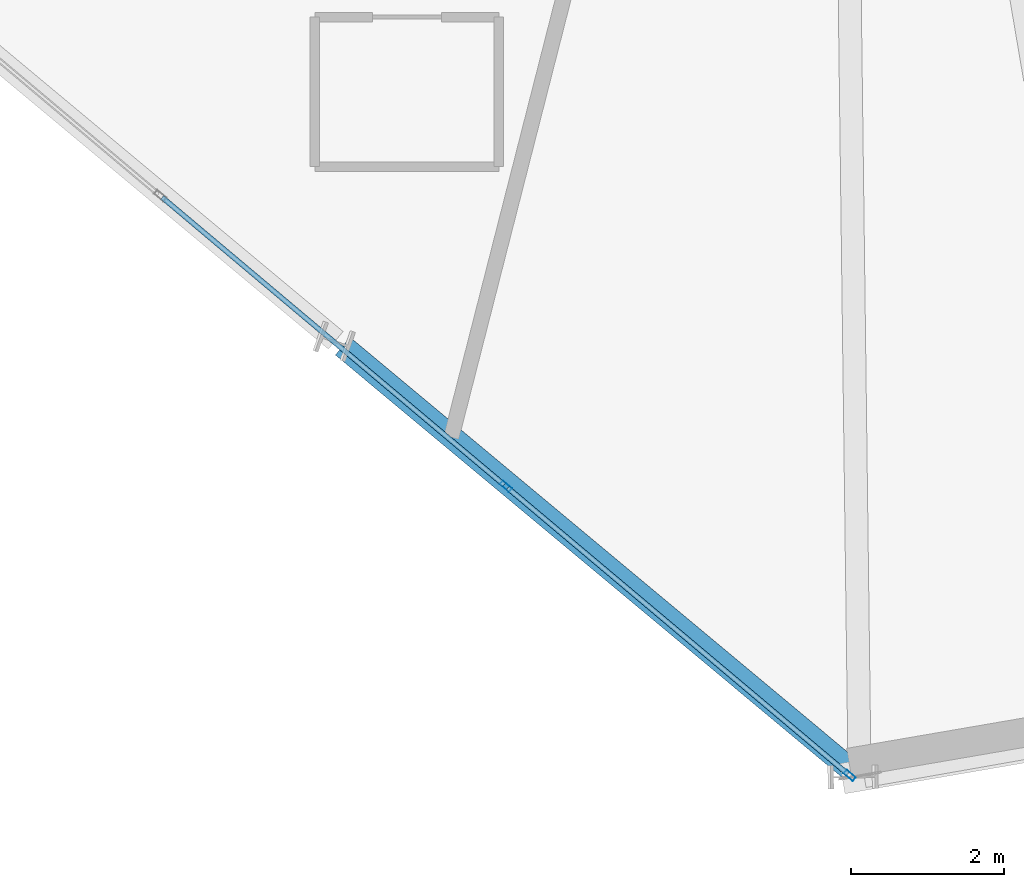
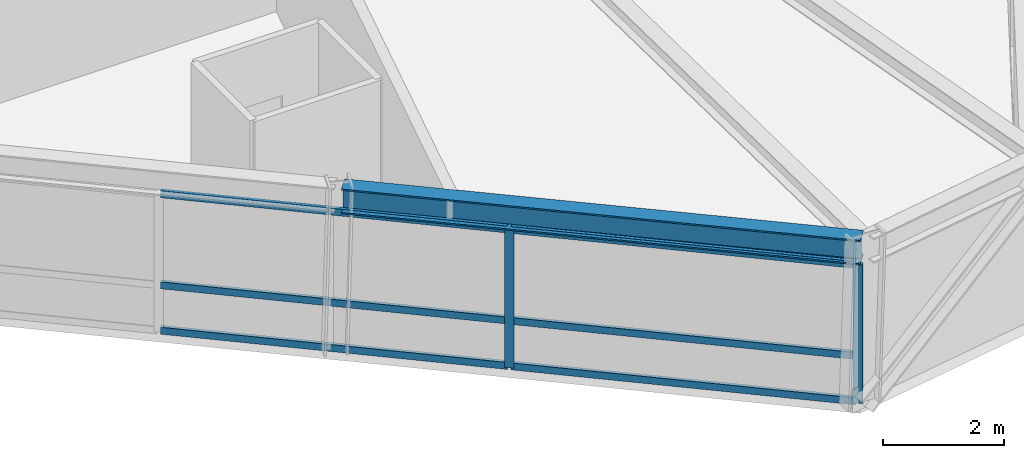
# One storey, part 3 of 14: 8 members, 1 beam, 1 element without a shape of its own.
"""IFC4 building model written with IfcOpenShell, lengths in metres."""

import ifcopenshell
import ifcopenshell.guid

model = None  # the IFC model being written
_history = None  # IfcOwnerHistory: only IFC2X3 demands one
_inside = {}  # id of a spatial element -> (the spatial element, [elements in it])
_under = {}  # id of a project, library or spatial element -> (it, [spatial elements below it])
_declared = {}  # id of a project -> (the project, [libraries it declares])
_typed = {}  # id of a type object -> (the type object, [elements of that type])
_made_of = {}  # id of a material, layer set ... -> (it, [elements and type objects made of it])


def new_model(schema):
    """Start an empty IFC model of exactly this schema.

    Asked for "IFC4X3", IfcOpenShell would pick the latest addendum, in which some entities
    have other attributes; the version numbers below select the first issue.
    IFC2X3 requires an IfcOwnerHistory on every rooted entity: one is made here for all.
    """
    global model, _history
    if schema == "IFC4X3":
        model = ifcopenshell.file(schema_version=(4, 3, 0, 0))
    else:
        model = ifcopenshell.file(schema=schema)
    _inside.clear()
    _under.clear()
    _declared.clear()
    _typed.clear()
    _made_of.clear()
    _history = None
    if model.schema == "IFC2X3":
        org = make("IfcOrganization", Name="unknown")
        user = make(
            "IfcPersonAndOrganization",
            ThePerson=make("IfcPerson", FamilyName="unknown"),
            TheOrganization=org,
        )
        app = make(
            "IfcApplication",
            ApplicationDeveloper=org,
            Version="unknown",
            ApplicationFullName="unknown",
            ApplicationIdentifier="unknown",
        )
        _history = make(
            "IfcOwnerHistory",
            OwningUser=user,
            OwningApplication=app,
            ChangeAction="ADDED",
            CreationDate=0,
        )
    return model


def make(cls, **values):
    """One entity of the class cls with the attributes given. An attribute that is None is left unset."""
    return model.create_entity(
        cls, **{name: value for name, value in values.items() if value is not None}
    )


def rooted(cls, **values):
    """An entity with a GlobalId (a new one), such as an element, a storey or a relation."""
    return make(cls, GlobalId=ifcopenshell.guid.new(), OwnerHistory=_history, **values)


def si_unit(unit_type, name, prefix=None):
    """IfcSIUnit, for example si_unit("LENGTHUNIT", "METRE", prefix="MILLI")."""
    return make("IfcSIUnit", UnitType=unit_type, Prefix=prefix, Name=name)


def assignment(units):
    """IfcUnitAssignment: the units of a project."""
    return None if units is None else make("IfcUnitAssignment", Units=units)


def point(xyz):
    """IfcCartesianPoint."""
    return None if xyz is None else make("IfcCartesianPoint", Coordinates=xyz)


def direction(xyz):
    """IfcDirection."""
    return None if xyz is None else make("IfcDirection", DirectionRatios=xyz)


def frame(location, z_axis=None, x_axis=None):
    """IfcAxis2Placement3D, a coordinate frame: its origin and axes. An axis left out is left unset."""
    return make(
        "IfcAxis2Placement3D",
        Location=point(location),
        Axis=direction(z_axis),
        RefDirection=direction(x_axis),
    )


def frame_2d(location, x_axis=None):
    """IfcAxis2Placement2D, a coordinate frame in the plane: its origin and x axis."""
    return make(
        "IfcAxis2Placement2D", Location=point(location), RefDirection=direction(x_axis)
    )


def origin():
    """The frame at (0, 0, 0) with its axes left unset."""
    return frame((0.0, 0.0, 0.0))


def origin_2d():
    """The frame at (0, 0) in the plane with its x axis left unset."""
    return frame_2d((0.0, 0.0))


def place(relative_to, where):
    """IfcLocalPlacement: puts the frame where relative to a parent placement (None: the world)."""
    return make(
        "IfcLocalPlacement", PlacementRelTo=relative_to, RelativePlacement=where
    )


def context(
    kind, dimensions, precision=None, world=None, true_north=None, identifier=None
):
    """IfcGeometricRepresentationContext, for example the 3D "Model" context."""
    return make(
        "IfcGeometricRepresentationContext",
        ContextIdentifier=identifier,
        ContextType=kind,
        CoordinateSpaceDimension=dimensions,
        Precision=precision,
        WorldCoordinateSystem=world,
        TrueNorth=true_north,
    )


def subcontext(parent, identifier, kind, view, scale=None):
    """IfcGeometricRepresentationSubContext, for example "Body" below "Model"."""
    return make(
        "IfcGeometricRepresentationSubContext",
        ContextIdentifier=identifier,
        ContextType=kind,
        ParentContext=parent,
        TargetScale=scale,
        TargetView=view,
    )


def project(units=None, contexts=None):
    """IfcProject with its units and contexts."""
    return rooted(
        "IfcProject",
        Name="project",
        RepresentationContexts=contexts,
        UnitsInContext=assignment(units),
    )


def spatial(cls, under=None, at=None, **own):
    """A site, building, storey or space (cls), placed at a placement, below another one or the project."""
    s = rooted(cls, ObjectPlacement=at, **own)
    if under is not None:
        _under.setdefault(under.id(), (under, []))[1].append(s)
    return s


def profile(cls, at=None, kind="AREA", **sizes):
    """A parametric profile (cls). Its sizes go by their IFC names, for example OverallWidth=200.0."""
    return make(cls, ProfileType=kind, Position=at, **sizes)


def hollow_rectangle(**sizes):
    """IfcRectangleHollowProfileDef."""
    return profile("IfcRectangleHollowProfileDef", **sizes)


def i_section(**sizes):
    """IfcIShapeProfileDef."""
    return profile("IfcIShapeProfileDef", **sizes)


def extrude(swept, where, along, depth):
    """IfcExtrudedAreaSolid: the profile swept, set in the frame where, extruded along a direction by depth."""
    return make(
        "IfcExtrudedAreaSolid",
        SweptArea=swept,
        Position=where,
        ExtrudedDirection=direction(along),
        Depth=depth,
    )


def shape(context_of_items, identifier, shape_type, items):
    """IfcShapeRepresentation: the items that make up one representation, for example the "Body"."""
    return make(
        "IfcShapeRepresentation",
        ContextOfItems=context_of_items,
        RepresentationIdentifier=identifier,
        RepresentationType=shape_type,
        Items=items,
    )


def source(mapping_origin, context_of_items, identifier, shape_type, items):
    """IfcRepresentationMap: a shape defined once, which mapped items show again and again."""
    return make(
        "IfcRepresentationMap",
        MappingOrigin=mapping_origin,
        MappedRepresentation=shape(context_of_items, identifier, shape_type, items),
    )


def transform(
    local_origin,
    x_axis=None,
    y_axis=None,
    z_axis=None,
    scale=None,
    scale2=None,
    scale3=None,
    uniform=True,
):
    """IfcCartesianTransformationOperator3D, or its non-uniform kind. x_axis, y_axis, z_axis: its Axis1, 2, 3."""
    if uniform:
        return make(
            "IfcCartesianTransformationOperator3D",
            Axis1=direction(x_axis),
            Axis2=direction(y_axis),
            LocalOrigin=point(local_origin),
            Scale=scale,
            Axis3=direction(z_axis),
        )
    return make(
        "IfcCartesianTransformationOperator3DnonUniform",
        Axis1=direction(x_axis),
        Axis2=direction(y_axis),
        LocalOrigin=point(local_origin),
        Scale=scale,
        Axis3=direction(z_axis),
        Scale2=scale2,
        Scale3=scale3,
    )


def mapped(mapping_source, mapping_target):
    """IfcMappedItem: shows the shape of a source again, moved by a transform."""
    return make(
        "IfcMappedItem", MappingSource=mapping_source, MappingTarget=mapping_target
    )


def material(Name=None, Category=None):
    """IfcMaterial."""
    return make("IfcMaterial", Name=Name, Category=Category)


def material_profile(
    of_material, cross_section, Name=None, Category=None, Priority=None
):
    """IfcMaterialProfile: a cross section and its material."""
    return make(
        "IfcMaterialProfile",
        Name=Name,
        Material=of_material,
        Profile=cross_section,
        Priority=Priority,
        Category=Category,
    )


def profile_set(profiles, Name=None, composite=None):
    """IfcMaterialProfileSet."""
    return make(
        "IfcMaterialProfileSet",
        Name=Name,
        MaterialProfiles=profiles,
        CompositeProfile=composite,
    )


def made_of(thing, what):
    """Note that an element or type object is made of a material, layer set ...; save() writes the relation."""
    if what is not None:
        _made_of.setdefault(what.id(), (what, []))[1].append(thing)
    return thing


def type_object(cls, material=None, **own):
    """A type object (cls), such as IfcWallType, which elements share."""
    return made_of(rooted(cls, **own), material)


def element(
    cls,
    number,
    at=None,
    inside=None,
    cuts=None,
    type_object=None,
    material=None,
    context=None,
    identifier="Body",
    shape_type=None,
    held_by="IfcProductDefinitionShape",
    body=None,
    shapes=None,
    **own,
):
    """One element of the class cls, such as IfcWall. Its Tag is "e" and its number.

    at: its placement. inside: the storey or other place that contains it. cuts: it is an
    opening in that element (IfcRelVoidsElement). A single representation is given by context,
    identifier, shape_type and body (its items); several are given by shapes. held_by: the class
    of the entity that holds the representations. save() writes the other relations.
    """
    e = rooted(cls, Tag="e%d" % number, ObjectPlacement=at, **own)
    if body is not None:
        shapes = [shape(context, identifier, shape_type, body)]
    if shapes is not None:
        e.Representation = make(held_by, Representations=shapes)
    if inside is not None:
        _inside.setdefault(inside.id(), (inside, []))[1].append(e)
    if cuts is not None:
        rooted(
            "IfcRelVoidsElement", RelatingBuildingElement=cuts, RelatedOpeningElement=e
        )
    if type_object is not None:
        _typed.setdefault(type_object.id(), (type_object, []))[1].append(e)
    return made_of(e, material)


def aggregate(whole, parts):
    """IfcRelAggregates: a whole, such as a stair, and the parts it consists of."""
    return rooted("IfcRelAggregates", RelatingObject=whole, RelatedObjects=parts)


def save(model, path):
    """Write the relations noted so far, then the file.

    IfcRelAggregates (storeys below a building ...), IfcRelContainedInSpatialStructure (elements
    in a storey), IfcRelDefinesByType, IfcRelAssociatesMaterial and IfcRelDeclares: one each for
    every whole, place, type object, material and project.
    """
    for whole, parts in _under.values():
        aggregate(whole, parts)
    for where, things in _inside.values():
        rooted(
            "IfcRelContainedInSpatialStructure",
            RelatedElements=things,
            RelatingStructure=where,
        )
    for kind, things in _typed.values():
        rooted("IfcRelDefinesByType", RelatedObjects=things, RelatingType=kind)
    for what, things in _made_of.values():
        rooted("IfcRelAssociatesMaterial", RelatedObjects=things, RelatingMaterial=what)
    for by, libraries in _declared.values():
        rooted("IfcRelDeclares", RelatingContext=by, RelatedDefinitions=libraries)
    model.write(path)


model = new_model("IFC4")

# Units and contexts
model_context = context("Model", 3, precision=1e-05, world=origin(), true_north=direction((0.0, 1.0)))
body_context = subcontext(model_context, "Body", "Model", "MODEL_VIEW")
ifc_project = project(units=[si_unit("LENGTHUNIT", "METRE"), si_unit("AREAUNIT", "SQUARE_METRE"), si_unit("VOLUMEUNIT", "CUBIC_METRE"), si_unit("PLANEANGLEUNIT", "RADIAN"), si_unit("MASSUNIT", "GRAM", prefix="KILO")], contexts=[model_context])

# Site, building, storey
site_placement = place(None, origin())
site = spatial("IfcSite", under=ifc_project, at=site_placement, CompositionType="ELEMENT")
building_placement = place(site_placement, origin())
building = spatial("IfcBuilding", under=site, at=building_placement, Name="Olszyna Solenne Hotel", CompositionType="ELEMENT")
storey_placement = place(building_placement, frame((0.0, 0.0, 216.699951171875)))
storey = spatial("IfcBuildingStorey", under=building, at=storey_placement, Name="L57", CompositionType="ELEMENT", Elevation=216.699951171875)

# Beam
ifc_material_1 = material(Name="Steel S355J2", Category="steel")
ifc_material_profile_1 = material_profile(ifc_material_1, i_section(OverallWidth=0.300048828125, OverallDepth=0.5, WebThickness=0.014404296875, FlangeThickness=0.028076171875, at=origin_2d()), Name="HEB 500", Category="load-bearing")
ifc_profile_set_1 = profile_set([ifc_material_profile_1], Name="Steel S355J2")
beam_type = type_object("IfcBeamType", Name="BM-S3", PredefinedType="BEAM", material=ifc_profile_set_1)
shared_shape_1 = source(origin(), body_context, "Body", "SweptSolid", [
    extrude(i_section(OverallWidth=0.300048828125, OverallDepth=0.5, WebThickness=0.014404296875, FlangeThickness=0.028076171875, at=origin_2d()), origin(), (0.0, 0.0, 1.0), 8.71923828125),
])
beam_placement = place(storey_placement, frame((31.561279296875, 8.12548828125, 3.080078125), z_axis=(0.76813635344, -0.64028629731, 0.0), x_axis=(0.64028629731, 0.76813635344, 0.0)))
element("IfcBeam", 1, at=beam_placement, inside=storey, type_object=beam_type, Name="Perimeter spandrel beam BM-S3 B-L57-1686", PredefinedType="BEAM", context=body_context, shape_type="MappedRepresentation", body=[
    mapped(shared_shape_1, transform((0.0, 0.0, 0.0), x_axis=(1.0, 0.0, 0.0), y_axis=(0.0, 1.0, 0.0), z_axis=(0.0, 0.0, 1.0), scale=1.0)),
])

# Curtain wall, members
ifc_material_2 = material(Name="Anodised bronze aluminium", Category="aluminium")
curtain_wall_type = type_object("IfcCurtainWallType", Name="CW-SYS-4", PredefinedType="NOTDEFINED", material=ifc_material_2)
curtain_wall_placement = place(storey_placement, origin())
curtain_wall = element("IfcCurtainWall", 2, at=curtain_wall_placement, inside=storey, type_object=curtain_wall_type, Name="Unitised curtain wall CW-SYS-4 CW-L57-01", PredefinedType="NOTDEFINED")
ifc_material_profile_2 = material_profile(ifc_material_2, hollow_rectangle(XDim=0.06494140625, YDim=0.159912109375, WallThickness=0.00390625, at=origin_2d()), Name="MULL 160x65x4", Category="load-bearing")
ifc_profile_set_2 = profile_set([ifc_material_profile_2], Name="Anodised bronze aluminium")
member_type_1 = type_object("IfcMemberType", Name="CW-M3", PredefinedType="MULLION", material=ifc_profile_set_2)
shared_shape_2 = source(origin(), body_context, "Body", "SweptSolid", [
    extrude(hollow_rectangle(XDim=0.06494140625, YDim=0.159912109375, WallThickness=0.00390625, at=origin_2d()), origin(), (0.0, 0.0, 1.0), 2.822021484375),
])
member_1_placement = place(storey_placement, frame((33.68994140625, 6.2958984375, 0.0), z_axis=(0.0, 0.0, 1.0), x_axis=(0.643622076412, 0.76534346718, 0.0)))
member_1 = element("IfcMember", 3, at=member_1_placement, type_object=member_type_1, Name="Curtain-wall mullion CW-M3 CM-L57-01-03", PredefinedType="MULLION", context=body_context, shape_type="MappedRepresentation", body=[
    mapped(shared_shape_2, transform((0.0, 0.0, 0.0), x_axis=(1.0, 0.0, 0.0), y_axis=(0.0, 1.0, 0.0), z_axis=(0.0, 0.0, 1.0), scale=1.0)),
])
member_2_placement = place(storey_placement, frame((38.1748046875, 2.524169921875, 0.0), z_axis=(0.0, 0.0, 1.0), x_axis=(0.643622076412, 0.76534346718, 0.0)))
member_2 = element("IfcMember", 4, at=member_2_placement, type_object=member_type_1, Name="Curtain-wall mullion CW-M3 CM-L57-01-04", PredefinedType="MULLION", context=body_context, shape_type="MappedRepresentation", body=[
    mapped(shared_shape_2, transform((0.0, 0.0, 0.0), x_axis=(1.0, 0.0, 0.0), y_axis=(0.0, 1.0, 0.0), z_axis=(0.0, 0.0, 1.0), scale=1.0)),
])
ifc_material_profile_3 = material_profile(ifc_material_2, hollow_rectangle(XDim=0.06494140625, YDim=0.139892578125, WallThickness=0.00390625, at=origin_2d()), Name="TRAN 140x65x4", Category="load-bearing")
ifc_profile_set_3 = profile_set([ifc_material_profile_3], Name="Anodised bronze aluminium")
member_type_2 = type_object("IfcMemberType", Name="CW-T2", PredefinedType="USERDEFINED", material=ifc_profile_set_3)
shared_shape_3 = source(origin(), body_context, "Body", "SweptSolid", [
    extrude(hollow_rectangle(XDim=0.06494140625, YDim=0.139892578125, WallThickness=0.00390625, at=origin_2d()), origin(), (0.0, 0.0, 1.0), 5.795166015625),
])
member_3_placement = place(storey_placement, frame((33.71484375, 6.275146484375, 0.032470703125), z_axis=(0.765337089031, -0.643629660716, 0.0), x_axis=(0.643629660716, 0.765337089031, 0.0)))
member_3 = element("IfcMember", 5, at=member_3_placement, type_object=member_type_2, Name="Curtain-wall transom CW-T2 CT-L57-01-07", ObjectType="TRANSOM", PredefinedType="USERDEFINED", context=body_context, shape_type="MappedRepresentation", body=[
    mapped(shared_shape_3, transform((0.0, 0.0, 0.0), x_axis=(1.0, 0.0, 0.0), y_axis=(0.0, 1.0, 0.0), z_axis=(0.0, 0.0, 1.0), scale=1.0)),
])
member_4_placement = place(storey_placement, frame((33.71484375, 6.275146484375, 0.949951171875), z_axis=(0.765337089031, -0.643629660716, 0.0), x_axis=(0.643629660716, 0.765337089031, 0.0)))
member_4 = element("IfcMember", 6, at=member_4_placement, type_object=member_type_2, Name="Curtain-wall transom CW-T2 CT-L57-01-08", ObjectType="TRANSOM", PredefinedType="USERDEFINED", context=body_context, shape_type="MappedRepresentation", body=[
    mapped(shared_shape_3, transform((0.0, 0.0, 0.0), x_axis=(1.0, 0.0, 0.0), y_axis=(0.0, 1.0, 0.0), z_axis=(0.0, 0.0, 1.0), scale=1.0)),
])
member_5_placement = place(storey_placement, frame((33.71484375, 6.275146484375, 2.78955078125), z_axis=(0.765337089031, -0.643629660716, 0.0), x_axis=(0.643629660716, 0.765337089031, 0.0)))
member_5 = element("IfcMember", 7, at=member_5_placement, type_object=member_type_2, Name="Curtain-wall transom CW-T2 CT-L57-01-09", ObjectType="TRANSOM", PredefinedType="USERDEFINED", context=body_context, shape_type="MappedRepresentation", body=[
    mapped(shared_shape_3, transform((0.0, 0.0, 0.0), x_axis=(1.0, 0.0, 0.0), y_axis=(0.0, 1.0, 0.0), z_axis=(0.0, 0.0, 1.0), scale=1.0)),
])
shared_shape_4 = source(origin(), body_context, "Body", "SweptSolid", [
    extrude(hollow_rectangle(XDim=0.06494140625, YDim=0.139892578125, WallThickness=0.00390625, at=origin_2d()), origin(), (0.0, 0.0, 1.0), 5.82763671875),
])
member_6_placement = place(storey_placement, frame((29.204833984375, 10.067626953125, 0.032470703125), z_axis=(0.765353174739, -0.643610532789, 0.0), x_axis=(0.643610532789, 0.765353174739, 0.0)))
member_6 = element("IfcMember", 8, at=member_6_placement, type_object=member_type_2, Name="Curtain-wall transom CW-T2 CT-L57-01-04", ObjectType="TRANSOM", PredefinedType="USERDEFINED", context=body_context, shape_type="MappedRepresentation", body=[
    mapped(shared_shape_4, transform((0.0, 0.0, 0.0), x_axis=(1.0, 0.0, 0.0), y_axis=(0.0, 1.0, 0.0), z_axis=(0.0, 0.0, 1.0), scale=1.0)),
])
member_7_placement = place(storey_placement, frame((29.204833984375, 10.067626953125, 0.949951171875), z_axis=(0.765353174739, -0.643610532789, 0.0), x_axis=(0.643610532789, 0.765353174739, 0.0)))
member_7 = element("IfcMember", 9, at=member_7_placement, type_object=member_type_2, Name="Curtain-wall transom CW-T2 CT-L57-01-05", ObjectType="TRANSOM", PredefinedType="USERDEFINED", context=body_context, shape_type="MappedRepresentation", body=[
    mapped(shared_shape_4, transform((0.0, 0.0, 0.0), x_axis=(1.0, 0.0, 0.0), y_axis=(0.0, 1.0, 0.0), z_axis=(0.0, 0.0, 1.0), scale=1.0)),
])
member_8_placement = place(storey_placement, frame((29.204833984375, 10.067626953125, 2.78955078125), z_axis=(0.765353174739, -0.643610532789, 0.0), x_axis=(0.643610532789, 0.765353174739, 0.0)))
member_8 = element("IfcMember", 10, at=member_8_placement, type_object=member_type_2, Name="Curtain-wall transom CW-T2 CT-L57-01-06", ObjectType="TRANSOM", PredefinedType="USERDEFINED", context=body_context, shape_type="MappedRepresentation", body=[
    mapped(shared_shape_4, transform((0.0, 0.0, 0.0), x_axis=(1.0, 0.0, 0.0), y_axis=(0.0, 1.0, 0.0), z_axis=(0.0, 0.0, 1.0), scale=1.0)),
])
aggregate(curtain_wall, [member_1, member_2, member_6, member_7, member_8, member_3, member_4, member_5])

save(model, "model.ifc")
